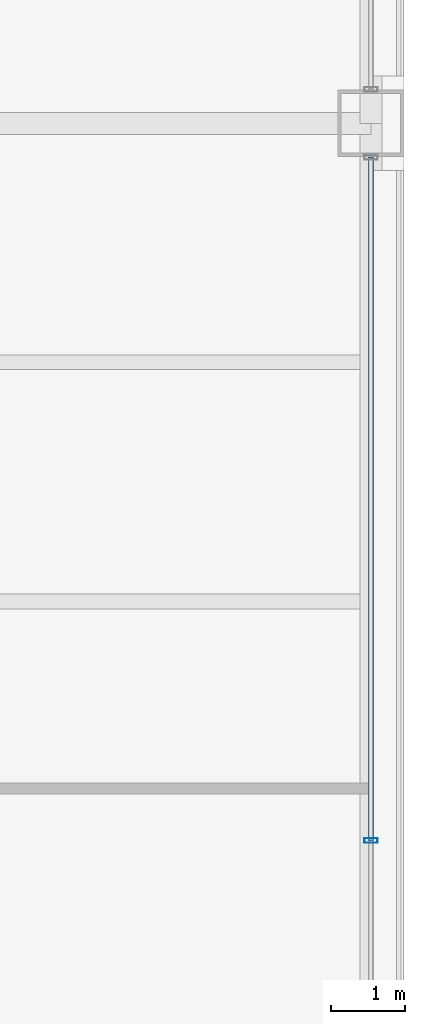
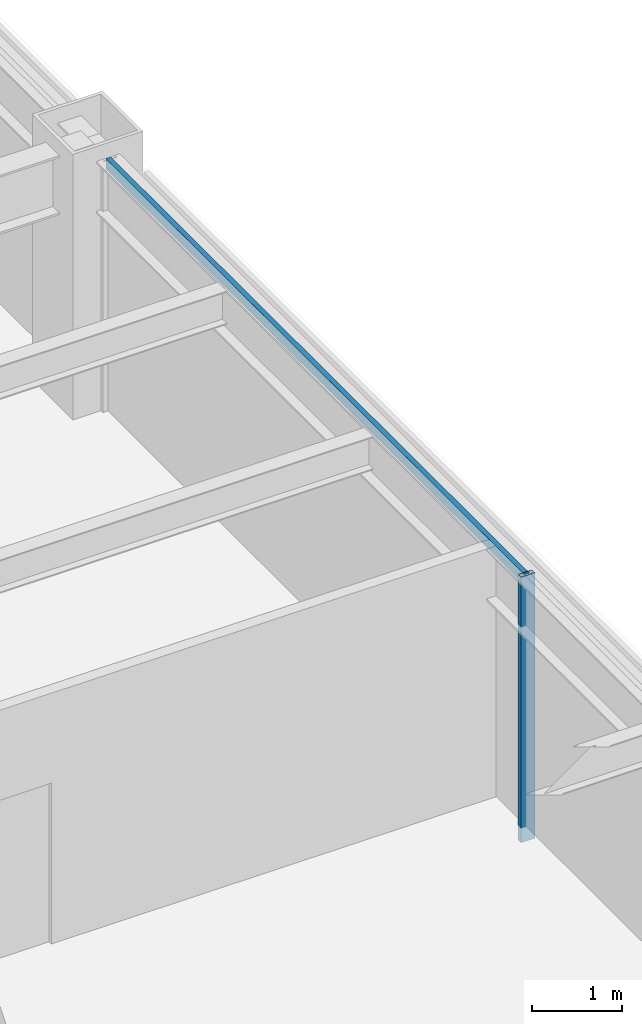
# One storey, part 12 of 29: 2 members, 1 element without a shape of its own.
"""IFC4 building model written with IfcOpenShell, lengths in metres."""

from ifc_helpers import new_model, si_unit, direction, frame, origin, origin_2d, place, context, subcontext, project, spatial, hollow_rectangle, extrude, material, layer, layer_set, material_profile, profile_set, type_object, element, aggregate, save


model = new_model("IFC4")

# Units and contexts
model_context = context("Model", 3, precision=1e-05, world=origin(), true_north=direction((0.0, 1.0)))
body_context = subcontext(model_context, "Body", "Model", "MODEL_VIEW")
ifc_project = project(units=[si_unit("LENGTHUNIT", "METRE"), si_unit("AREAUNIT", "SQUARE_METRE"), si_unit("VOLUMEUNIT", "CUBIC_METRE"), si_unit("PLANEANGLEUNIT", "RADIAN"), si_unit("MASSUNIT", "GRAM", prefix="KILO")], contexts=[model_context])

# Site, building, storey
site_placement = place(None, origin())
site = spatial("IfcSite", under=ifc_project, at=site_placement, CompositionType="ELEMENT")
building_placement = place(site_placement, origin())
building = spatial("IfcBuilding", under=site, at=building_placement, Name="Brelmoor Portico Tower", CompositionType="ELEMENT")
storey_placement = place(building_placement, frame((0.0, 0.0, 63.60009765625)))
storey = spatial("IfcBuildingStorey", under=building, at=storey_placement, Name="L16", CompositionType="ELEMENT", Elevation=63.60009765625)

# Curtain wall, members
ifc_material = material(Name="Anodised Aluminium Alloy 6063-T6", Category="aluminium")
ifc_layer = layer(ifc_material, 0.179931640625)
ifc_layer_set = layer_set([ifc_layer], Name="Anodised Aluminium Alloy 6063-T6")
curtain_wall_type = type_object("IfcCurtainWallType", Name="CW-TOWER-Z1-XB", PredefinedType="NOTDEFINED", material=ifc_layer_set)
curtain_wall_placement = place(storey_placement, origin())
curtain_wall = element("IfcCurtainWall", 1, at=curtain_wall_placement, inside=storey, type_object=curtain_wall_type, Name="L16 Curtain Wall CW-L16-04-2", PredefinedType="NOTDEFINED")
ifc_material_profile_1 = material_profile(ifc_material, hollow_rectangle(XDim=0.06494140625, YDim=0.179931640625, WallThickness=0.00390625, at=origin_2d()), Name="ALU MULLION 65x180")
ifc_profile_set_1 = profile_set([ifc_material_profile_1], Name="Anodised Aluminium Alloy 6063-T6")
member_type_1 = type_object("IfcMemberType", Name="MB-CW-MULL-180", PredefinedType="MULLION", material=ifc_profile_set_1)
member_1_placement = place(storey_placement, frame((24.550048828125, 0.0, -0.2001953125), z_axis=(0.0, 0.0, 1.0), x_axis=(0.0, 1.0, 0.0)))
member_1 = element("IfcMember", 2, at=member_1_placement, type_object=member_type_1, Name="CW-L16-04-2 Mullion 01", PredefinedType="MULLION", context=body_context, shape_type="SweptSolid", body=[
    extrude(hollow_rectangle(XDim=0.06494140625, YDim=0.179931640625, WallThickness=0.00390625, at=origin_2d()), origin(), (0.0, 0.0, 1.0), 3.60009765625),
])
ifc_material_profile_2 = material_profile(ifc_material, hollow_rectangle(XDim=0.06494140625, YDim=0.139892578125, WallThickness=0.00390625, at=origin_2d()), Name="ALU TRANSOM 65x140")
ifc_profile_set_2 = profile_set([ifc_material_profile_2], Name="Anodised Aluminium Alloy 6063-T6")
member_type_2 = type_object("IfcMemberType", Name="MB-CW-TRAN-140", PredefinedType="USERDEFINED", material=ifc_profile_set_2)
member_2_placement = place(storey_placement, frame((24.550048828125, 0.0, 3.329833984375), z_axis=(0.0, 1.0, 0.0), x_axis=(-1.0, 0.0, 0.0)))
member_2 = element("IfcMember", 3, at=member_2_placement, type_object=member_type_2, Name="CW-L16-04-2 Transom 1-01", ObjectType="TRANSOM", PredefinedType="USERDEFINED", context=body_context, shape_type="SweptSolid", body=[
    extrude(hollow_rectangle(XDim=0.06494140625, YDim=0.139892578125, WallThickness=0.00390625, at=origin_2d()), origin(), (0.0, 0.0, 1.0), 9.2900390625),
])
aggregate(curtain_wall, [member_1, member_2])

save(model, "model.ifc")
